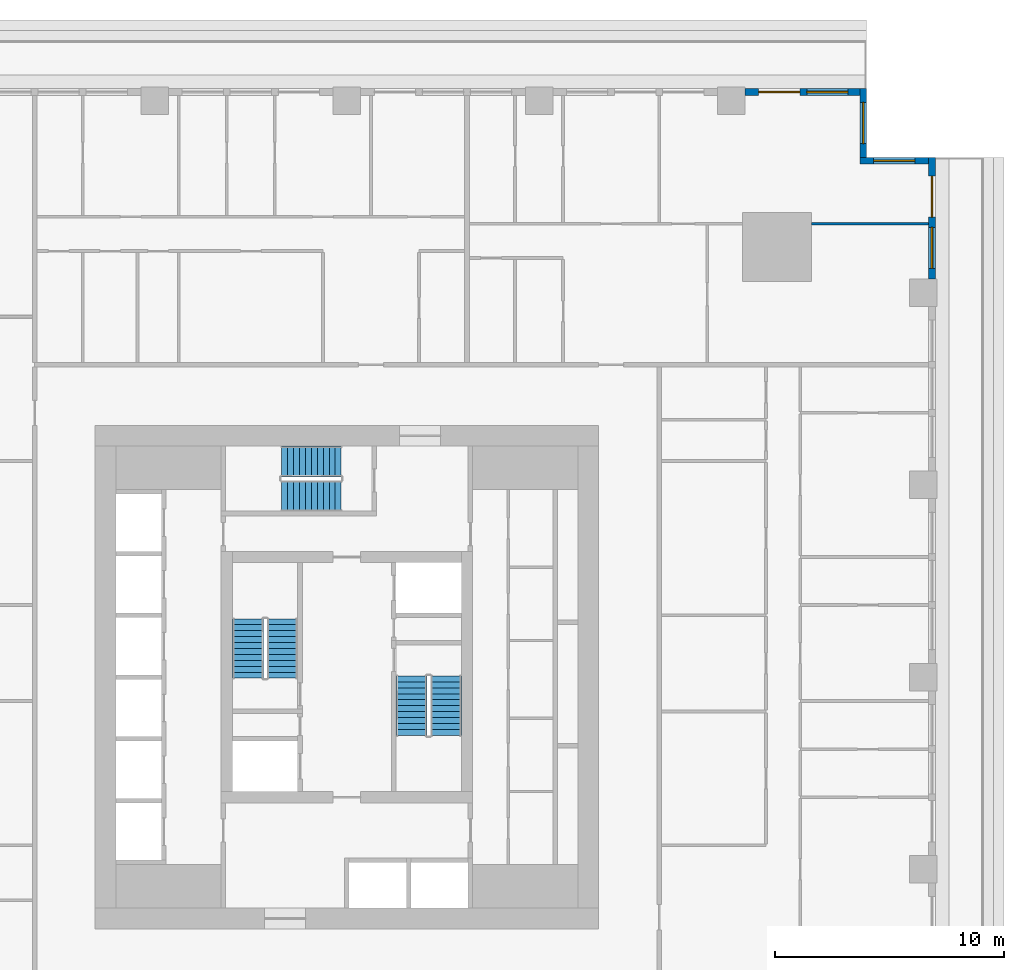
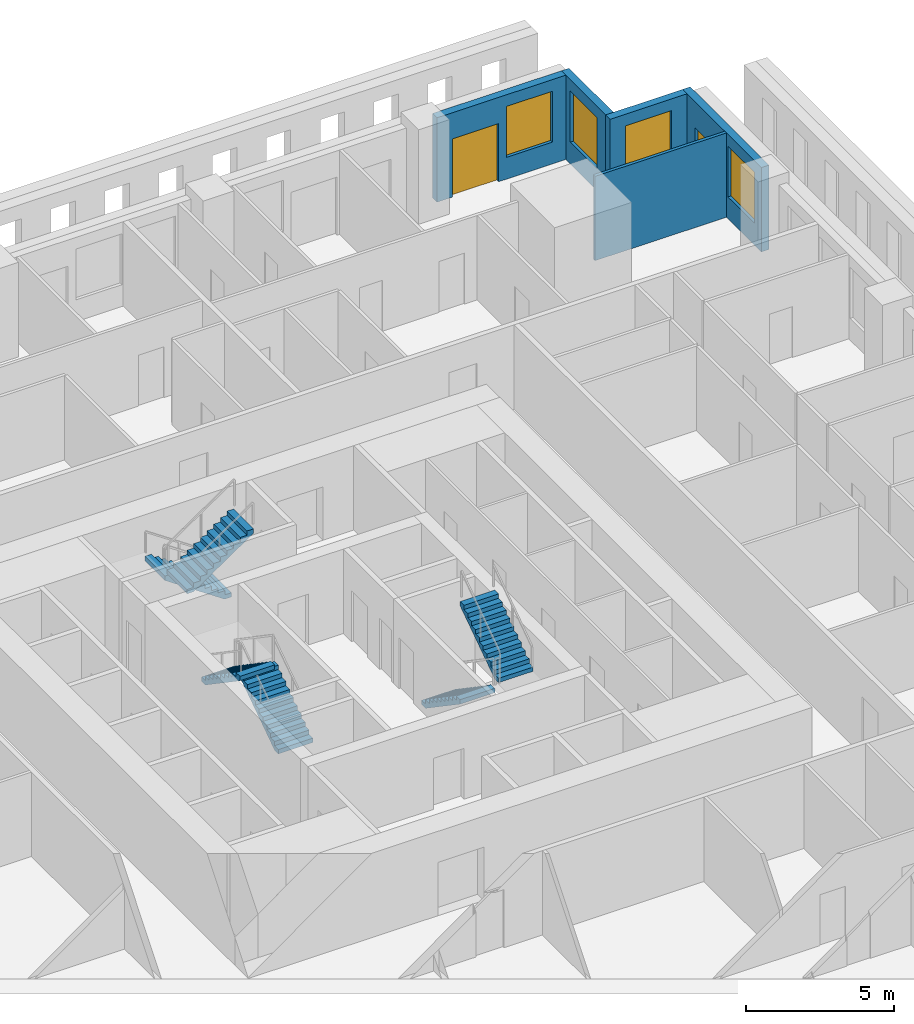
# One storey, part 10 of 15: 6 stair flights, 5 walls, 4 windows, 2 doors, 6 openings, 3 elements without a shape of their own.
"""IFC4 building model written with IfcOpenShell, lengths in metres."""

from ifc_helpers import new_model, si_unit, direction, frame, frame_2d, origin, place, context, subcontext, project, spatial, polyline, rectangle, outline, extrude, material, layer, layer_set, type_object, element, fill, aggregate, save


model = new_model("IFC4")

# Units and contexts
model_context = context("Model", 3, precision=1e-05, world=origin(), true_north=direction((0.0, 1.0)))
body_context = subcontext(model_context, "Body", "Model", "MODEL_VIEW")
ifc_project = project(units=[si_unit("LENGTHUNIT", "METRE"), si_unit("AREAUNIT", "SQUARE_METRE"), si_unit("VOLUMEUNIT", "CUBIC_METRE"), si_unit("PLANEANGLEUNIT", "RADIAN"), si_unit("MASSUNIT", "GRAM", prefix="KILO")], contexts=[model_context])

# Site, building, storey
site_placement = place(None, origin())
site = spatial("IfcSite", under=ifc_project, at=site_placement, CompositionType="ELEMENT")
building_placement = place(site_placement, origin())
building = spatial("IfcBuilding", under=site, at=building_placement, Name="Khepri Terraces", CompositionType="ELEMENT")
storey_placement = place(building_placement, frame((0.0, 0.0, 38.699951171875)))
storey = spatial("IfcBuildingStorey", under=building, at=storey_placement, Name="L08", CompositionType="ELEMENT", Elevation=38.699951171875)

# Wall, openings, door, window
ifc_material_1 = material(Name="Precast concrete C50/60 warm stone", Category="masonry")
ifc_layer_1 = layer(ifc_material_1, 0.300048828125, Name="Precast concrete C50/60 warm stone", Category="masonry")
ifc_layer_set_1 = layer_set([ifc_layer_1], Name="Precast concrete C50/60 warm stone")
wall_type_1 = type_object("IfcWallType", Name="WL-EXT-PRECAST-300", PredefinedType="STANDARD", material=ifc_layer_set_1)
wall_1_placement = place(storey_placement, frame((25.570068359375, 17.39990234375, 0.0), z_axis=(0.0, 0.0, 1.0), x_axis=(0.0, 1.0, 0.0)))
wall_1 = element("IfcWall", 1, at=wall_1_placement, inside=storey, type_object=wall_type_1, Name="External wall L08 E", PredefinedType="STANDARD", context=body_context, shape_type="SweptSolid", body=[
    extrude(rectangle(XDim=5.320068359375, YDim=0.300048828125, at=frame_2d((2.66015625, 0.0))), origin(), (0.0, 0.0, 1.0), 3.47998046875),
])
opening_1_placement = place(wall_1_placement, frame((2.699951171875, 0.0, 0.0)))
opening_1 = element("IfcOpeningElement", 2, at=opening_1_placement, cuts=wall_1, Name="Opening ED-L08-05", PredefinedType="OPENING", context=body_context, shape_type="SweptSolid", body=[
    extrude(rectangle(XDim=1.800048828125, YDim=2.39990234375, at=frame_2d((0.89990234375, 1.199951171875))), frame((0.0, 0.16015625, 0.0), z_axis=(0.0, -1.0, 0.0), x_axis=(1.0, 0.0, 0.0)), (0.0, 0.0, 1.0), 0.320068359375),
])
opening_2_placement = place(wall_1_placement, frame((0.4599609375, 0.0, 0.89990234375)))
opening_2 = element("IfcOpeningElement", 3, at=opening_2_placement, cuts=wall_1, Name="Opening W1", PredefinedType="OPENING", context=body_context, shape_type="SweptSolid", body=[
    extrude(rectangle(XDim=1.800048828125, YDim=2.10009765625, at=frame_2d((0.89990234375, 1.050048828125))), frame((0.0, 0.16015625, 0.0), z_axis=(0.0, -1.0, 0.0), x_axis=(1.0, 0.0, 0.0)), (0.0, 0.0, 1.0), 0.320068359375),
])
ifc_material_2 = material(Name="Anodised aluminium bronze glazed door", Category="aluminium")
door_type = type_object("IfcDoorType", Name="DR-BAL-SLIDE-1800x2400", OperationType="NOTDEFINED", PredefinedType="DOOR", material=ifc_material_2)
door_1_placement = place(opening_1_placement, origin())
door_1 = element("IfcDoor", 4, at=door_1_placement, inside=storey, type_object=door_type, Name="Balcony door L08 E", OperationType="SLIDING_TO_LEFT", OverallHeight=2.39990234375, OverallWidth=1.800048828125, PredefinedType="DOOR", context=body_context, shape_type="SweptSolid", body=[
    extrude(rectangle(XDim=1.800048828125, YDim=2.39990234375, at=frame_2d((0.89990234375, 1.199951171875))), frame((0.0, 0.02490234375, 0.0), z_axis=(0.0, -1.0, 0.0), x_axis=(1.0, 0.0, 0.0)), (0.0, 0.0, 1.0), 0.050048828125),
])
fill(opening_1, door_1)
ifc_material_3 = material(Name="Clear glass", Category="glass")
window_type = type_object("IfcWindowType", Name="WIN-RES-1800x2100", PartitioningType="SINGLE_PANEL", PredefinedType="WINDOW", material=ifc_material_3)
window_1_placement = place(opening_2_placement, origin())
window_1 = element("IfcWindow", 5, at=window_1_placement, inside=storey, type_object=window_type, Name="Window L08 E", OverallHeight=2.10009765625, OverallWidth=1.800048828125, PartitioningType="SINGLE_PANEL", PredefinedType="WINDOW", context=body_context, shape_type="SweptSolid", body=[
    extrude(rectangle(XDim=1.800048828125, YDim=2.10009765625, at=frame_2d((0.89990234375, 1.050048828125))), frame((0.0, 0.030029296875, 0.0), z_axis=(0.0, -1.0, 0.0), x_axis=(1.0, 0.0, 0.0)), (0.0, 0.0, 1.0), 0.06005859375),
])
fill(opening_2, window_1)

# Wall, opening, window
wall_2_placement = place(storey_placement, frame((25.419921875, 22.570068359375, 0.0), z_axis=(0.0, 0.0, 1.0), x_axis=(-1.0, 0.0, 0.0)))
wall_2 = element("IfcWall", 6, at=wall_2_placement, inside=storey, type_object=wall_type_1, Name="External wall L08 N", PredefinedType="STANDARD", context=body_context, shape_type="SweptSolid", body=[
    extrude(rectangle(XDim=3.0, YDim=0.300048828125, at=frame_2d((1.5, 0.0))), origin(), (0.0, 0.0, 1.0), 3.47998046875),
])
opening_3_placement = place(wall_2_placement, frame((0.60009765625, 0.0, 0.89990234375)))
opening_3 = element("IfcOpeningElement", 7, at=opening_3_placement, cuts=wall_2, Name="Opening W1", PredefinedType="OPENING", context=body_context, shape_type="SweptSolid", body=[
    extrude(rectangle(XDim=1.800048828125, YDim=2.10009765625, at=frame_2d((0.89990234375, 1.050048828125))), frame((0.0, 0.16015625, 0.0), z_axis=(0.0, -1.0, 0.0), x_axis=(1.0, 0.0, 0.0)), (0.0, 0.0, 1.0), 0.320068359375),
])
window_2_placement = place(opening_3_placement, origin())
window_2 = element("IfcWindow", 8, at=window_2_placement, inside=storey, type_object=window_type, Name="Window L08 N", OverallHeight=2.10009765625, OverallWidth=1.800048828125, PartitioningType="SINGLE_PANEL", PredefinedType="WINDOW", context=body_context, shape_type="SweptSolid", body=[
    extrude(rectangle(XDim=1.800048828125, YDim=2.10009765625, at=frame_2d((0.89990234375, 1.050048828125))), frame((0.0, 0.030029296875, 0.0), z_axis=(0.0, -1.0, 0.0), x_axis=(1.0, 0.0, 0.0)), (0.0, 0.0, 1.0), 0.06005859375),
])
fill(opening_3, window_2)

wall_3_placement = place(storey_placement, frame((22.570068359375, 22.719970703125, 0.0), z_axis=(0.0, 0.0, 1.0), x_axis=(0.0, 1.0, 0.0)))
wall_3 = element("IfcWall", 9, at=wall_3_placement, inside=storey, type_object=wall_type_1, Name="External wall L08 E", PredefinedType="STANDARD", context=body_context, shape_type="SweptSolid", body=[
    extrude(rectangle(XDim=3.0, YDim=0.300048828125, at=frame_2d((1.5, 0.0))), origin(), (0.0, 0.0, 1.0), 3.47998046875),
])
opening_4_placement = place(wall_3_placement, frame((0.60009765625, 0.0, 0.89990234375)))
opening_4 = element("IfcOpeningElement", 10, at=opening_4_placement, cuts=wall_3, Name="Opening W1", PredefinedType="OPENING", context=body_context, shape_type="SweptSolid", body=[
    extrude(rectangle(XDim=1.800048828125, YDim=2.10009765625, at=frame_2d((0.89990234375, 1.050048828125))), frame((0.0, 0.16015625, 0.0), z_axis=(0.0, -1.0, 0.0), x_axis=(1.0, 0.0, 0.0)), (0.0, 0.0, 1.0), 0.320068359375),
])
window_3_placement = place(opening_4_placement, origin())
window_3 = element("IfcWindow", 11, at=window_3_placement, inside=storey, type_object=window_type, Name="Window L08 E", OverallHeight=2.10009765625, OverallWidth=1.800048828125, PartitioningType="SINGLE_PANEL", PredefinedType="WINDOW", context=body_context, shape_type="SweptSolid", body=[
    extrude(rectangle(XDim=1.800048828125, YDim=2.10009765625, at=frame_2d((0.89990234375, 1.050048828125))), frame((0.0, 0.030029296875, 0.0), z_axis=(0.0, -1.0, 0.0), x_axis=(1.0, 0.0, 0.0)), (0.0, 0.0, 1.0), 0.06005859375),
])
fill(opening_4, window_3)

# Wall, openings, door, window
wall_4_placement = place(storey_placement, frame((22.419921875, 25.570068359375, 0.0), z_axis=(0.0, 0.0, 1.0), x_axis=(-1.0, 0.0, 0.0)))
wall_4 = element("IfcWall", 12, at=wall_4_placement, inside=storey, type_object=wall_type_1, Name="External wall L08 N", PredefinedType="STANDARD", context=body_context, shape_type="SweptSolid", body=[
    extrude(rectangle(XDim=5.02001953125, YDim=0.300048828125, at=frame_2d((2.510009765625, 0.0))), origin(), (0.0, 0.0, 1.0), 3.47998046875),
])
opening_5_placement = place(wall_4_placement, frame((0.52001953125, 0.0, 0.89990234375)))
opening_5 = element("IfcOpeningElement", 13, at=opening_5_placement, cuts=wall_4, Name="Opening W1", PredefinedType="OPENING", context=body_context, shape_type="SweptSolid", body=[
    extrude(rectangle(XDim=1.800048828125, YDim=2.10009765625, at=frame_2d((0.89990234375, 1.050048828125))), frame((0.0, 0.16015625, 0.0), z_axis=(0.0, -1.0, 0.0), x_axis=(1.0, 0.0, 0.0)), (0.0, 0.0, 1.0), 0.320068359375),
])
opening_6_placement = place(wall_4_placement, frame((2.6201171875, 0.0, 0.0)))
opening_6 = element("IfcOpeningElement", 14, at=opening_6_placement, cuts=wall_4, Name="Opening ED-L08-06", PredefinedType="OPENING", context=body_context, shape_type="SweptSolid", body=[
    extrude(rectangle(XDim=1.800048828125, YDim=2.39990234375, at=frame_2d((0.89990234375, 1.199951171875))), frame((0.0, 0.16015625, 0.0), z_axis=(0.0, -1.0, 0.0), x_axis=(1.0, 0.0, 0.0)), (0.0, 0.0, 1.0), 0.320068359375),
])
door_2_placement = place(opening_6_placement, origin())
door_2 = element("IfcDoor", 15, at=door_2_placement, inside=storey, type_object=door_type, Name="Balcony door L08 N", OperationType="SLIDING_TO_RIGHT", OverallHeight=2.39990234375, OverallWidth=1.800048828125, PredefinedType="DOOR", context=body_context, shape_type="SweptSolid", body=[
    extrude(rectangle(XDim=1.800048828125, YDim=2.39990234375, at=frame_2d((0.89990234375, 1.199951171875))), frame((0.0, 0.02490234375, 0.0), z_axis=(0.0, -1.0, 0.0), x_axis=(1.0, 0.0, 0.0)), (0.0, 0.0, 1.0), 0.050048828125),
])
fill(opening_6, door_2)
window_4_placement = place(opening_5_placement, origin())
window_4 = element("IfcWindow", 16, at=window_4_placement, inside=storey, type_object=window_type, Name="Window L08 N", OverallHeight=2.10009765625, OverallWidth=1.800048828125, PartitioningType="SINGLE_PANEL", PredefinedType="WINDOW", context=body_context, shape_type="SweptSolid", body=[
    extrude(rectangle(XDim=1.800048828125, YDim=2.10009765625, at=frame_2d((0.89990234375, 1.050048828125))), frame((0.0, 0.030029296875, 0.0), z_axis=(0.0, -1.0, 0.0), x_axis=(1.0, 0.0, 0.0)), (0.0, 0.0, 1.0), 0.06005859375),
])
fill(opening_5, window_4)

# Wall
ifc_material_4 = material(Name="Gypsum plasterboard partition")
ifc_layer_2 = layer(ifc_material_4, 0.1201171875, Name="Gypsum plasterboard partition")
ifc_layer_set_2 = layer_set([ifc_layer_2], Name="Gypsum plasterboard partition")
wall_type_2 = type_object("IfcWallType", Name="WL-PART-120", PredefinedType="PARTITIONING", material=ifc_layer_set_2)
wall_5_placement = place(storey_placement, frame((20.300048828125, 19.820068359375, 0.0), z_axis=(0.0, 0.0, 1.0), x_axis=(1.0, 0.0, 0.0)))
element("IfcWall", 17, at=wall_5_placement, inside=storey, type_object=wall_type_2, Name="Partition P-092 L08", PredefinedType="PARTITIONING", context=body_context, shape_type="SweptSolid", body=[
    extrude(rectangle(XDim=5.119873046875, YDim=0.1201171875, at=frame_2d((2.56005859375, 0.0))), origin(), (0.0, 0.0, 1.0), 3.47998046875),
])

# Stair, stair flights
ifc_material_5 = material(Name="Concrete C40/50", Category="concrete")
stair_type = type_object("IfcStairType", Name="STAIR-RC-22R", PredefinedType="HALF_TURN_STAIR", material=ifc_material_5)
stair_1_placement = place(storey_placement, origin())
stair_1 = element("IfcStair", 18, at=stair_1_placement, inside=storey, type_object=stair_type, Name="L08 Exit Stair ST-1", PredefinedType="HALF_TURN_STAIR")
stair_flight_type = type_object("IfcStairFlightType", Name="SFL-RC-177.3", PredefinedType="STRAIGHT", material=ifc_material_5)
stair_flight_1_placement = place(storey_placement, frame((-2.824951171875, -0.050048828125, 0.0), z_axis=(0.0, 0.0, 1.0), x_axis=(0.0, 1.0, 0.0)))
stair_flight_1 = element("IfcStairFlight", 19, at=stair_flight_1_placement, type_object=stair_flight_type, Name="ST-1 flight 1", NumberOfRisers=11, NumberOfTreads=10, PredefinedType="STRAIGHT", RiserHeight=0.177272727, TreadLength=0.26, context=body_context, shape_type="SweptSolid", body=[
    extrude(outline(polyline([(0.0, 0.0), (0.0, 0.17724609375), (0.260009765625, 0.17724609375), (0.260009765625, 0.3544921875), (0.52001953125, 0.3544921875), (0.52001953125, 0.53173828125), (0.780029296875, 0.53173828125), (0.780029296875, 0.708984375), (1.0400390625, 0.708984375), (1.0400390625, 0.886474609375), (1.300048828125, 0.886474609375), (1.300048828125, 1.063720703125), (1.56005859375, 1.063720703125), (1.56005859375, 1.240966796875), (1.820068359375, 1.240966796875), (1.820068359375, 1.418212890625), (2.080078125, 1.418212890625), (2.080078125, 1.595458984375), (2.340087890625, 1.595458984375), (2.340087890625, 1.772705078125), (2.60009765625, 1.772705078125), (2.60009765625, 1.949951171875), (2.60009765625, 1.59130859375), (0.26611328125, 0.0), (0.0, 0.0)])), frame((0.0, 0.675048828125, 0.0), z_axis=(0.0, -1.0, 0.0), x_axis=(1.0, 0.0, 0.0)), (0.0, 0.0, 1.0), 1.35009765625),
])
stair_flight_2_placement = place(storey_placement, frame((-4.324951171875, 2.550048828125, 1.949951171875), z_axis=(0.0, 0.0, 1.0), x_axis=(0.0, -1.0, 0.0)))
stair_flight_2 = element("IfcStairFlight", 20, at=stair_flight_2_placement, type_object=stair_flight_type, Name="ST-1 flight 2", NumberOfRisers=11, NumberOfTreads=10, PredefinedType="STRAIGHT", RiserHeight=0.177272727, TreadLength=0.26, context=body_context, shape_type="SweptSolid", body=[
    extrude(outline(polyline([(0.0, 0.0), (0.0, 0.17724609375), (0.260009765625, 0.17724609375), (0.260009765625, 0.3544921875), (0.52001953125, 0.3544921875), (0.52001953125, 0.53173828125), (0.780029296875, 0.53173828125), (0.780029296875, 0.708984375), (1.0400390625, 0.708984375), (1.0400390625, 0.886474609375), (1.300048828125, 0.886474609375), (1.300048828125, 1.063720703125), (1.56005859375, 1.063720703125), (1.56005859375, 1.240966796875), (1.820068359375, 1.240966796875), (1.820068359375, 1.418212890625), (2.080078125, 1.418212890625), (2.080078125, 1.595458984375), (2.340087890625, 1.595458984375), (2.340087890625, 1.772705078125), (2.60009765625, 1.772705078125), (2.60009765625, 1.949951171875), (2.60009765625, 1.59130859375), (0.26611328125, 0.0), (0.0, 0.0)])), frame((0.0, 0.675048828125, 0.0), z_axis=(0.0, -1.0, 0.0), x_axis=(1.0, 0.0, 0.0)), (0.0, 0.0, 1.0), 1.35009765625),
])
aggregate(stair_1, [stair_flight_1, stair_flight_2])

stair_2_placement = place(storey_placement, origin())
stair_2 = element("IfcStair", 21, at=stair_2_placement, inside=storey, type_object=stair_type, Name="L08 Exit Stair ST-2", PredefinedType="HALF_TURN_STAIR")
stair_flight_3_placement = place(storey_placement, frame((2.824951171875, 0.050048828125, 0.0), z_axis=(0.0, 0.0, 1.0), x_axis=(0.0, -1.0, 0.0)))
stair_flight_3 = element("IfcStairFlight", 22, at=stair_flight_3_placement, type_object=stair_flight_type, Name="ST-2 flight 1", NumberOfRisers=11, NumberOfTreads=10, PredefinedType="STRAIGHT", RiserHeight=0.177272727, TreadLength=0.26, context=body_context, shape_type="SweptSolid", body=[
    extrude(outline(polyline([(0.0, 0.0), (0.0, 0.17724609375), (0.260009765625, 0.17724609375), (0.260009765625, 0.3544921875), (0.52001953125, 0.3544921875), (0.52001953125, 0.53173828125), (0.780029296875, 0.53173828125), (0.780029296875, 0.708984375), (1.0400390625, 0.708984375), (1.0400390625, 0.886474609375), (1.300048828125, 0.886474609375), (1.300048828125, 1.063720703125), (1.56005859375, 1.063720703125), (1.56005859375, 1.240966796875), (1.820068359375, 1.240966796875), (1.820068359375, 1.418212890625), (2.080078125, 1.418212890625), (2.080078125, 1.595458984375), (2.340087890625, 1.595458984375), (2.340087890625, 1.772705078125), (2.60009765625, 1.772705078125), (2.60009765625, 1.949951171875), (2.60009765625, 1.59130859375), (0.26611328125, 0.0), (0.0, 0.0)])), frame((0.0, 0.675048828125, 0.0), z_axis=(0.0, -1.0, 0.0), x_axis=(1.0, 0.0, 0.0)), (0.0, 0.0, 1.0), 1.35009765625),
])
stair_flight_4_placement = place(storey_placement, frame((4.324951171875, -2.550048828125, 1.949951171875), z_axis=(0.0, 0.0, 1.0), x_axis=(0.0, 1.0, 0.0)))
stair_flight_4 = element("IfcStairFlight", 23, at=stair_flight_4_placement, type_object=stair_flight_type, Name="ST-2 flight 2", NumberOfRisers=11, NumberOfTreads=10, PredefinedType="STRAIGHT", RiserHeight=0.177272727, TreadLength=0.26, context=body_context, shape_type="SweptSolid", body=[
    extrude(outline(polyline([(0.0, 0.0), (0.0, 0.17724609375), (0.260009765625, 0.17724609375), (0.260009765625, 0.3544921875), (0.52001953125, 0.3544921875), (0.52001953125, 0.53173828125), (0.780029296875, 0.53173828125), (0.780029296875, 0.708984375), (1.0400390625, 0.708984375), (1.0400390625, 0.886474609375), (1.300048828125, 0.886474609375), (1.300048828125, 1.063720703125), (1.56005859375, 1.063720703125), (1.56005859375, 1.240966796875), (1.820068359375, 1.240966796875), (1.820068359375, 1.418212890625), (2.080078125, 1.418212890625), (2.080078125, 1.595458984375), (2.340087890625, 1.595458984375), (2.340087890625, 1.772705078125), (2.60009765625, 1.772705078125), (2.60009765625, 1.949951171875), (2.60009765625, 1.59130859375), (0.26611328125, 0.0), (0.0, 0.0)])), frame((0.0, 0.675048828125, 0.0), z_axis=(0.0, -1.0, 0.0), x_axis=(1.0, 0.0, 0.0)), (0.0, 0.0, 1.0), 1.35009765625),
])
aggregate(stair_2, [stair_flight_3, stair_flight_4])

stair_3_placement = place(storey_placement, origin())
stair_3 = element("IfcStair", 24, at=stair_3_placement, inside=storey, type_object=stair_type, Name="L08 Exit Stair ST-3", PredefinedType="HALF_TURN_STAIR")
stair_flight_5_placement = place(storey_placement, frame((-0.25, 9.425048828125, 0.0), z_axis=(0.0, 0.0, 1.0), x_axis=(-1.0, 0.0, 0.0)))
stair_flight_5 = element("IfcStairFlight", 25, at=stair_flight_5_placement, type_object=stair_flight_type, Name="ST-3 flight 1", NumberOfRisers=11, NumberOfTreads=10, PredefinedType="STRAIGHT", RiserHeight=0.177272727, TreadLength=0.26, context=body_context, shape_type="SweptSolid", body=[
    extrude(outline(polyline([(0.0, 0.0), (0.0, 0.17724609375), (0.260009765625, 0.17724609375), (0.260009765625, 0.3544921875), (0.52001953125, 0.3544921875), (0.52001953125, 0.53173828125), (0.780029296875, 0.53173828125), (0.780029296875, 0.708984375), (1.0400390625, 0.708984375), (1.0400390625, 0.886474609375), (1.300048828125, 0.886474609375), (1.300048828125, 1.063720703125), (1.56005859375, 1.063720703125), (1.56005859375, 1.240966796875), (1.820068359375, 1.240966796875), (1.820068359375, 1.418212890625), (2.080078125, 1.418212890625), (2.080078125, 1.595458984375), (2.340087890625, 1.595458984375), (2.340087890625, 1.772705078125), (2.60009765625, 1.772705078125), (2.60009765625, 1.949951171875), (2.60009765625, 1.59130859375), (0.26611328125, 0.0), (0.0, 0.0)])), frame((0.0, 0.675048828125, 0.0), z_axis=(0.0, -1.0, 0.0), x_axis=(1.0, 0.0, 0.0)), (0.0, 0.0, 1.0), 1.35009765625),
])
stair_flight_6_placement = place(storey_placement, frame((-2.85009765625, 7.925048828125, 1.949951171875), z_axis=(0.0, 0.0, 1.0), x_axis=(1.0, 0.0, 0.0)))
stair_flight_6 = element("IfcStairFlight", 26, at=stair_flight_6_placement, type_object=stair_flight_type, Name="ST-3 flight 2", NumberOfRisers=11, NumberOfTreads=10, PredefinedType="STRAIGHT", RiserHeight=0.177272727, TreadLength=0.26, context=body_context, shape_type="SweptSolid", body=[
    extrude(outline(polyline([(0.0, 0.0), (0.0, 0.17724609375), (0.260009765625, 0.17724609375), (0.260009765625, 0.3544921875), (0.52001953125, 0.3544921875), (0.52001953125, 0.53173828125), (0.780029296875, 0.53173828125), (0.780029296875, 0.708984375), (1.0400390625, 0.708984375), (1.0400390625, 0.886474609375), (1.300048828125, 0.886474609375), (1.300048828125, 1.063720703125), (1.56005859375, 1.063720703125), (1.56005859375, 1.240966796875), (1.820068359375, 1.240966796875), (1.820068359375, 1.418212890625), (2.080078125, 1.418212890625), (2.080078125, 1.595458984375), (2.340087890625, 1.595458984375), (2.340087890625, 1.772705078125), (2.60009765625, 1.772705078125), (2.60009765625, 1.949951171875), (2.60009765625, 1.59130859375), (0.26611328125, 0.0), (0.0, 0.0)])), frame((0.0, 0.675048828125, 0.0), z_axis=(0.0, -1.0, 0.0), x_axis=(1.0, 0.0, 0.0)), (0.0, 0.0, 1.0), 1.35009765625),
])
aggregate(stair_3, [stair_flight_5, stair_flight_6])

save(model, "model.ifc")
